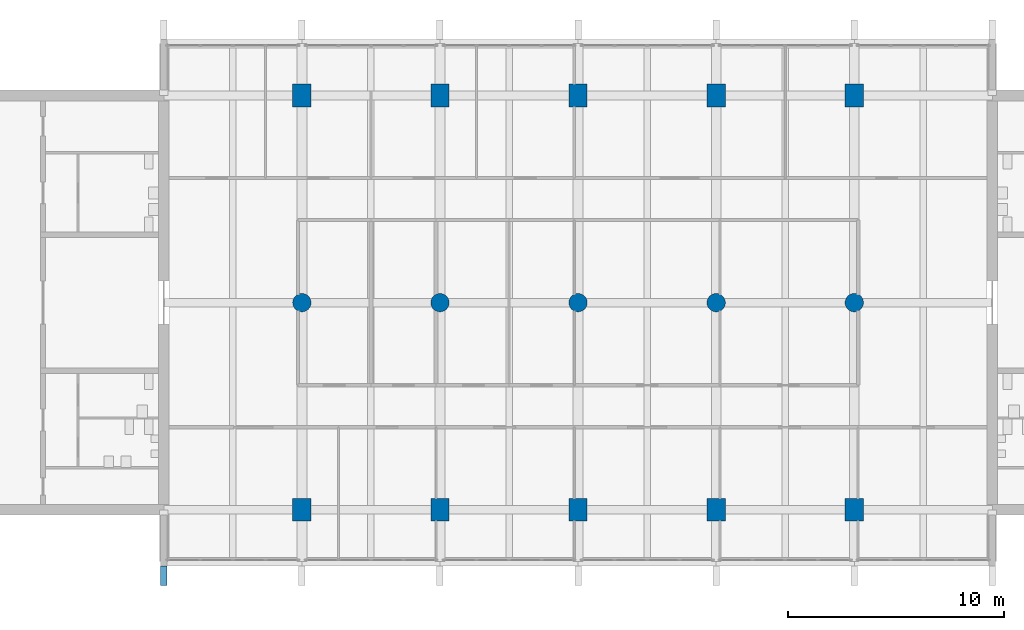
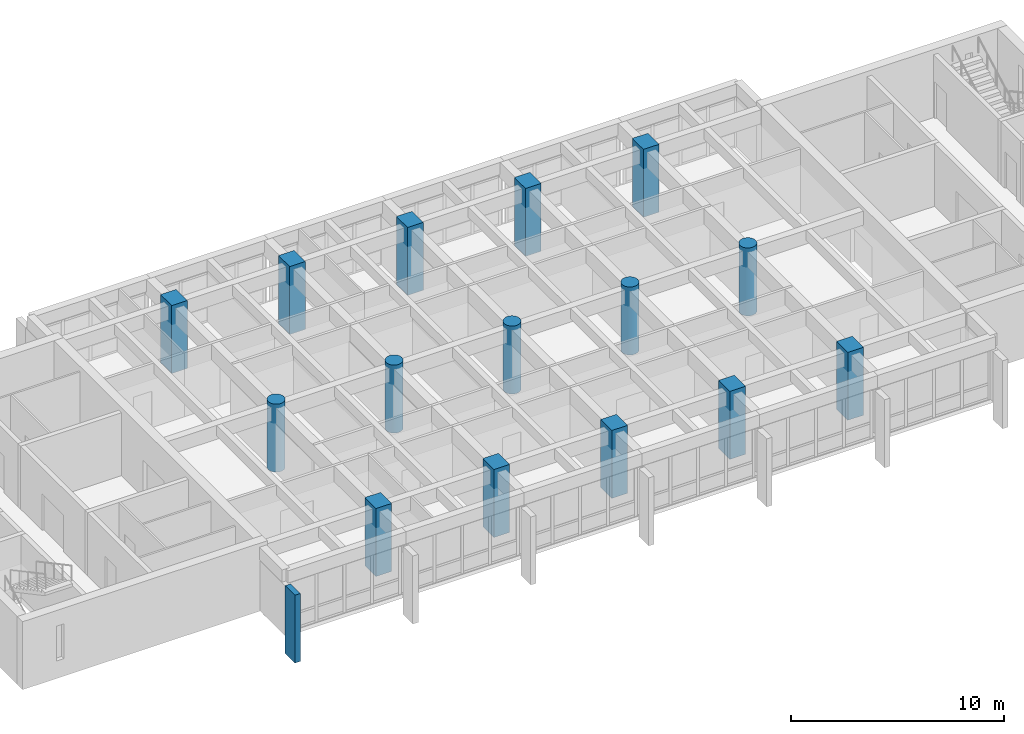
# One storey, part 1 of 15: 15 columns, 1 member.
"""IFC4 building model written with IfcOpenShell, lengths in metres."""

from ifc_helpers import new_model, si_unit, direction, frame, origin, origin_2d, place, context, subcontext, project, spatial, rectangle, circle, extrude, material, material_profile, profile_set, type_object, element, save


model = new_model("IFC4")

# Units and contexts
model_context = context("Model", 3, precision=1e-05, world=origin(), true_north=direction((0.0, 1.0)))
body_context = subcontext(model_context, "Body", "Model", "MODEL_VIEW")
ifc_project = project(units=[si_unit("LENGTHUNIT", "METRE"), si_unit("AREAUNIT", "SQUARE_METRE"), si_unit("VOLUMEUNIT", "CUBIC_METRE"), si_unit("PLANEANGLEUNIT", "RADIAN"), si_unit("MASSUNIT", "GRAM", prefix="KILO")], contexts=[model_context])

# Site, building, storey
site_placement = place(None, origin())
site = spatial("IfcSite", under=ifc_project, at=site_placement, CompositionType="ELEMENT")
building_placement = place(site_placement, origin())
building = spatial("IfcBuilding", under=site, at=building_placement, Name="Fogon Plaza Fire Station and Headquarters Tower", CompositionType="ELEMENT")
storey_placement = place(building_placement, frame((0.0, 0.0, 52.199951171875)))
storey = spatial("IfcBuildingStorey", under=building, at=storey_placement, Name="L13", CompositionType="ELEMENT", Elevation=52.199951171875)

# Columns
ifc_material_1 = material(Name="Concrete C40", Category="concrete")
ifc_material_profile_1 = material_profile(ifc_material_1, rectangle(XDim=0.85009765625, YDim=1.050048828125, at=origin_2d()), Name="RC 850x1050")
ifc_profile_set_1 = profile_set([ifc_material_profile_1], Name="Concrete C40")
column_type_1 = type_object("IfcColumnType", Name="COLUMN RC 850x1050", PredefinedType="COLUMN", material=ifc_profile_set_1)
for number, where, z_axis, x_axis, name in (
    (1, (32.0, 33.60009765625, 0.0), (0.0, 0.0, 1.0), (1.0, 0.0, 0.0), "col-L13-4E"),
    (2, (32.0, 52.800048828125, 0.0), (0.0, 0.0, 1.0), (1.0, 0.0, 0.0), "col-L13-4G"),
    (3, (38.39990234375, 33.60009765625, 0.0), (0.0, 0.0, 1.0), (1.0, 0.0, 0.0), "col-L13-5E"),
    (4, (38.39990234375, 52.800048828125, 0.0), (0.0, 0.0, 1.0), (1.0, 0.0, 0.0), "col-L13-5G"),
    (5, (44.800048828125, 33.60009765625, 0.0), (0.0, 0.0, 1.0), (1.0, 0.0, 0.0), "col-L13-6E"),
    (6, (44.800048828125, 52.800048828125, 0.0), (0.0, 0.0, 1.0), (1.0, 0.0, 0.0), "col-L13-6G"),
    (7, (51.199951171875, 33.60009765625, 0.0), (0.0, 0.0, 1.0), (1.0, 0.0, 0.0), "col-L13-7E"),
    (8, (51.199951171875, 52.800048828125, 0.0), (0.0, 0.0, 1.0), (1.0, 0.0, 0.0), "col-L13-7G"),
    (9, (57.60009765625, 33.60009765625, 0.0), (0.0, 0.0, 1.0), (1.0, 0.0, 0.0), "col-L13-8E"),
    (10, (57.60009765625, 52.800048828125, 0.0), (0.0, 0.0, 1.0), (1.0, 0.0, 0.0), "col-L13-8G"),
):
    element("IfcColumn", number, at=place(storey_placement, frame(where, z_axis=z_axis, x_axis=x_axis)), inside=storey, type_object=column_type_1, Name=name, PredefinedType="COLUMN", context=body_context, shape_type="SweptSolid", body=[
        extrude(rectangle(XDim=0.85009765625, YDim=1.050048828125, at=origin_2d()), origin(), (0.0, 0.0, 1.0), 3.900146484375),
    ])
ifc_material_2 = material(Name="Concrete C40", Category="concrete")
ifc_material_profile_2 = material_profile(ifc_material_2, circle(Radius=0.425048828125, at=origin_2d()), Name="RC D850")
ifc_profile_set_2 = profile_set([ifc_material_profile_2], Name="Concrete C40")
column_type_2 = type_object("IfcColumnType", Name="COLUMN RC D850", PredefinedType="COLUMN", material=ifc_profile_set_2)
for number, where, z_axis, x_axis, name in (
    (11, (32.0, 43.199951171875, 0.0), (0.0, 0.0, 1.0), (1.0, 0.0, 0.0), "col-L13-4F"),
    (12, (38.39990234375, 43.199951171875, 0.0), (0.0, 0.0, 1.0), (1.0, 0.0, 0.0), "col-L13-5F"),
    (13, (44.800048828125, 43.199951171875, 0.0), (0.0, 0.0, 1.0), (1.0, 0.0, 0.0), "col-L13-6F"),
    (14, (51.199951171875, 43.199951171875, 0.0), (0.0, 0.0, 1.0), (1.0, 0.0, 0.0), "col-L13-7F"),
    (15, (57.60009765625, 43.199951171875, 0.0), (0.0, 0.0, 1.0), (1.0, 0.0, 0.0), "col-L13-8F"),
):
    element("IfcColumn", number, at=place(storey_placement, frame(where, z_axis=z_axis, x_axis=x_axis)), inside=storey, type_object=column_type_2, Name=name, PredefinedType="COLUMN", context=body_context, shape_type="SweptSolid", body=[
        extrude(circle(Radius=0.425048828125, at=origin_2d()), origin(), (0.0, 0.0, 1.0), 3.900146484375),
    ])

# Member
ifc_material_3 = material(Name="Concrete C40 precast", Category="concrete")
ifc_material_profile_3 = material_profile(ifc_material_3, rectangle(XDim=0.300048828125, YDim=0.89990234375, at=origin_2d()), Name="Precast Concrete Post 300x900")
ifc_profile_set_3 = profile_set([ifc_material_profile_3], Name="Concrete C40 precast")
member_type = type_object("IfcMemberType", Name="Precast Concrete Post 300x900", PredefinedType="POST", material=ifc_profile_set_3)
member_placement = place(storey_placement, frame((25.60009765625, 30.550048828125, -1.02001953125), z_axis=(0.0, 0.0, 1.0), x_axis=(1.0, 0.0, 0.0)))
element("IfcMember", 16, at=member_placement, inside=storey, type_object=member_type, Name="Precast Post S L13", PredefinedType="POST", context=body_context, shape_type="SweptSolid", body=[
    extrude(rectangle(XDim=0.300048828125, YDim=0.89990234375, at=origin_2d()), origin(), (0.0, 0.0, 1.0), 3.900146484375),
])

save(model, "model.ifc")
